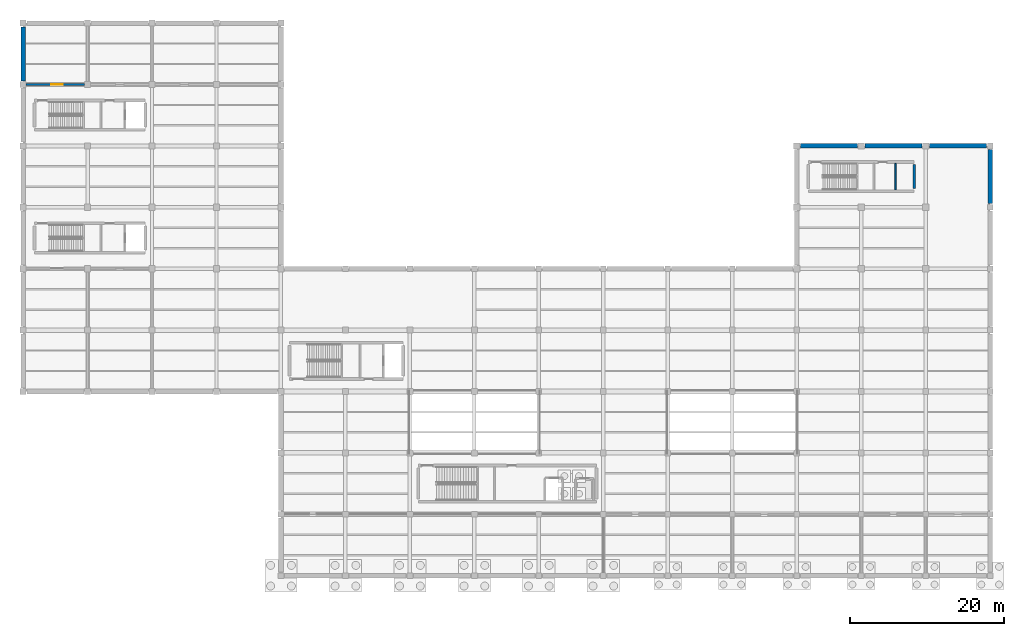
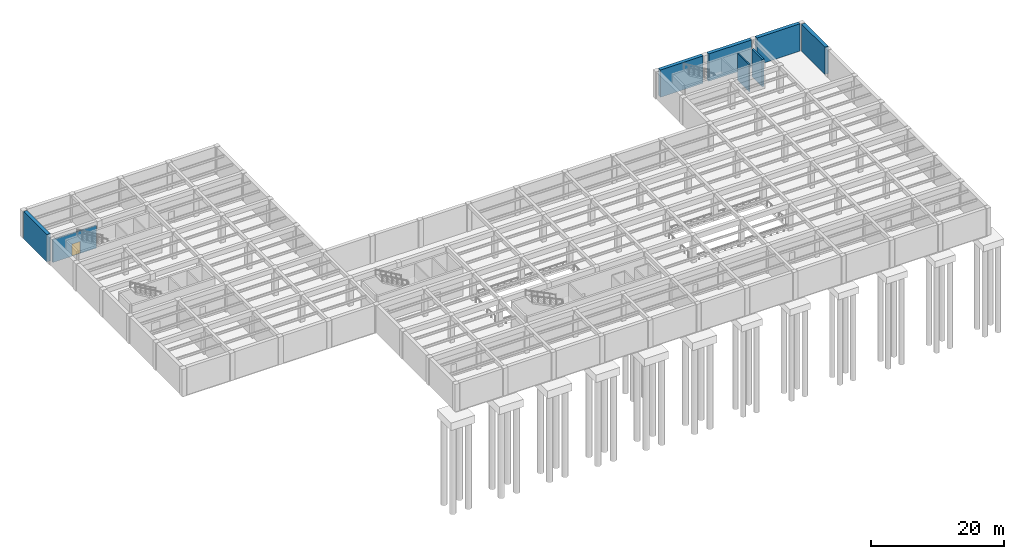
# One storey, part 8 of 16: 8 walls, 1 door, 1 opening.
"""IFC4 building model written with IfcOpenShell, lengths in metres."""

import ifcopenshell
import ifcopenshell.guid

model = None  # the IFC model being written
_history = None  # IfcOwnerHistory: only IFC2X3 demands one
_inside = {}  # id of a spatial element -> (the spatial element, [elements in it])
_under = {}  # id of a project, library or spatial element -> (it, [spatial elements below it])
_declared = {}  # id of a project -> (the project, [libraries it declares])
_typed = {}  # id of a type object -> (the type object, [elements of that type])
_made_of = {}  # id of a material, layer set ... -> (it, [elements and type objects made of it])


def new_model(schema):
    """Start an empty IFC model of exactly this schema.

    Asked for "IFC4X3", IfcOpenShell would pick the latest addendum, in which some entities
    have other attributes; the version numbers below select the first issue.
    IFC2X3 requires an IfcOwnerHistory on every rooted entity: one is made here for all.
    """
    global model, _history
    if schema == "IFC4X3":
        model = ifcopenshell.file(schema_version=(4, 3, 0, 0))
    else:
        model = ifcopenshell.file(schema=schema)
    _inside.clear()
    _under.clear()
    _declared.clear()
    _typed.clear()
    _made_of.clear()
    _history = None
    if model.schema == "IFC2X3":
        org = make("IfcOrganization", Name="unknown")
        user = make(
            "IfcPersonAndOrganization",
            ThePerson=make("IfcPerson", FamilyName="unknown"),
            TheOrganization=org,
        )
        app = make(
            "IfcApplication",
            ApplicationDeveloper=org,
            Version="unknown",
            ApplicationFullName="unknown",
            ApplicationIdentifier="unknown",
        )
        _history = make(
            "IfcOwnerHistory",
            OwningUser=user,
            OwningApplication=app,
            ChangeAction="ADDED",
            CreationDate=0,
        )
    return model


def make(cls, **values):
    """One entity of the class cls with the attributes given. An attribute that is None is left unset."""
    return model.create_entity(
        cls, **{name: value for name, value in values.items() if value is not None}
    )


def rooted(cls, **values):
    """An entity with a GlobalId (a new one), such as an element, a storey or a relation."""
    return make(cls, GlobalId=ifcopenshell.guid.new(), OwnerHistory=_history, **values)


def si_unit(unit_type, name, prefix=None):
    """IfcSIUnit, for example si_unit("LENGTHUNIT", "METRE", prefix="MILLI")."""
    return make("IfcSIUnit", UnitType=unit_type, Prefix=prefix, Name=name)


def assignment(units):
    """IfcUnitAssignment: the units of a project."""
    return None if units is None else make("IfcUnitAssignment", Units=units)


def point(xyz):
    """IfcCartesianPoint."""
    return None if xyz is None else make("IfcCartesianPoint", Coordinates=xyz)


def direction(xyz):
    """IfcDirection."""
    return None if xyz is None else make("IfcDirection", DirectionRatios=xyz)


def frame(location, z_axis=None, x_axis=None):
    """IfcAxis2Placement3D, a coordinate frame: its origin and axes. An axis left out is left unset."""
    return make(
        "IfcAxis2Placement3D",
        Location=point(location),
        Axis=direction(z_axis),
        RefDirection=direction(x_axis),
    )


def frame_2d(location, x_axis=None):
    """IfcAxis2Placement2D, a coordinate frame in the plane: its origin and x axis."""
    return make(
        "IfcAxis2Placement2D", Location=point(location), RefDirection=direction(x_axis)
    )


def origin():
    """The frame at (0, 0, 0) with its axes left unset."""
    return frame((0.0, 0.0, 0.0))


def place(relative_to, where):
    """IfcLocalPlacement: puts the frame where relative to a parent placement (None: the world)."""
    return make(
        "IfcLocalPlacement", PlacementRelTo=relative_to, RelativePlacement=where
    )


def context(
    kind, dimensions, precision=None, world=None, true_north=None, identifier=None
):
    """IfcGeometricRepresentationContext, for example the 3D "Model" context."""
    return make(
        "IfcGeometricRepresentationContext",
        ContextIdentifier=identifier,
        ContextType=kind,
        CoordinateSpaceDimension=dimensions,
        Precision=precision,
        WorldCoordinateSystem=world,
        TrueNorth=true_north,
    )


def subcontext(parent, identifier, kind, view, scale=None):
    """IfcGeometricRepresentationSubContext, for example "Body" below "Model"."""
    return make(
        "IfcGeometricRepresentationSubContext",
        ContextIdentifier=identifier,
        ContextType=kind,
        ParentContext=parent,
        TargetScale=scale,
        TargetView=view,
    )


def project(units=None, contexts=None):
    """IfcProject with its units and contexts."""
    return rooted(
        "IfcProject",
        Name="project",
        RepresentationContexts=contexts,
        UnitsInContext=assignment(units),
    )


def spatial(cls, under=None, at=None, **own):
    """A site, building, storey or space (cls), placed at a placement, below another one or the project."""
    s = rooted(cls, ObjectPlacement=at, **own)
    if under is not None:
        _under.setdefault(under.id(), (under, []))[1].append(s)
    return s


def profile(cls, at=None, kind="AREA", **sizes):
    """A parametric profile (cls). Its sizes go by their IFC names, for example OverallWidth=200.0."""
    return make(cls, ProfileType=kind, Position=at, **sizes)


def rectangle(**sizes):
    """IfcRectangleProfileDef."""
    return profile("IfcRectangleProfileDef", **sizes)


def extrude(swept, where, along, depth):
    """IfcExtrudedAreaSolid: the profile swept, set in the frame where, extruded along a direction by depth."""
    return make(
        "IfcExtrudedAreaSolid",
        SweptArea=swept,
        Position=where,
        ExtrudedDirection=direction(along),
        Depth=depth,
    )


def shape(context_of_items, identifier, shape_type, items):
    """IfcShapeRepresentation: the items that make up one representation, for example the "Body"."""
    return make(
        "IfcShapeRepresentation",
        ContextOfItems=context_of_items,
        RepresentationIdentifier=identifier,
        RepresentationType=shape_type,
        Items=items,
    )


def material(Name=None, Category=None):
    """IfcMaterial."""
    return make("IfcMaterial", Name=Name, Category=Category)


def layer(
    of_material, thickness, ventilated=None, Name=None, Category=None, Priority=None
):
    """IfcMaterialLayer: one layer of a wall or slab, of a material (None: an air gap)."""
    return make(
        "IfcMaterialLayer",
        Material=of_material,
        LayerThickness=thickness,
        IsVentilated=ventilated,
        Name=Name,
        Category=Category,
        Priority=Priority,
    )


def layer_set(layers, Name=None):
    """IfcMaterialLayerSet."""
    return make("IfcMaterialLayerSet", MaterialLayers=layers, LayerSetName=Name)


def made_of(thing, what):
    """Note that an element or type object is made of a material, layer set ...; save() writes the relation."""
    if what is not None:
        _made_of.setdefault(what.id(), (what, []))[1].append(thing)
    return thing


def type_object(cls, material=None, **own):
    """A type object (cls), such as IfcWallType, which elements share."""
    return made_of(rooted(cls, **own), material)


def element(
    cls,
    number,
    at=None,
    inside=None,
    cuts=None,
    type_object=None,
    material=None,
    context=None,
    identifier="Body",
    shape_type=None,
    held_by="IfcProductDefinitionShape",
    body=None,
    shapes=None,
    **own,
):
    """One element of the class cls, such as IfcWall. Its Tag is "e" and its number.

    at: its placement. inside: the storey or other place that contains it. cuts: it is an
    opening in that element (IfcRelVoidsElement). A single representation is given by context,
    identifier, shape_type and body (its items); several are given by shapes. held_by: the class
    of the entity that holds the representations. save() writes the other relations.
    """
    e = rooted(cls, Tag="e%d" % number, ObjectPlacement=at, **own)
    if body is not None:
        shapes = [shape(context, identifier, shape_type, body)]
    if shapes is not None:
        e.Representation = make(held_by, Representations=shapes)
    if inside is not None:
        _inside.setdefault(inside.id(), (inside, []))[1].append(e)
    if cuts is not None:
        rooted(
            "IfcRelVoidsElement", RelatingBuildingElement=cuts, RelatedOpeningElement=e
        )
    if type_object is not None:
        _typed.setdefault(type_object.id(), (type_object, []))[1].append(e)
    return made_of(e, material)


def fill(opening, filler):
    """IfcRelFillsElement: the door or window that sits in an opening."""
    return rooted(
        "IfcRelFillsElement",
        RelatingOpeningElement=opening,
        RelatedBuildingElement=filler,
    )


def aggregate(whole, parts):
    """IfcRelAggregates: a whole, such as a stair, and the parts it consists of."""
    return rooted("IfcRelAggregates", RelatingObject=whole, RelatedObjects=parts)


def save(model, path):
    """Write the relations noted so far, then the file.

    IfcRelAggregates (storeys below a building ...), IfcRelContainedInSpatialStructure (elements
    in a storey), IfcRelDefinesByType, IfcRelAssociatesMaterial and IfcRelDeclares: one each for
    every whole, place, type object, material and project.
    """
    for whole, parts in _under.values():
        aggregate(whole, parts)
    for where, things in _inside.values():
        rooted(
            "IfcRelContainedInSpatialStructure",
            RelatedElements=things,
            RelatingStructure=where,
        )
    for kind, things in _typed.values():
        rooted("IfcRelDefinesByType", RelatedObjects=things, RelatingType=kind)
    for what, things in _made_of.values():
        rooted("IfcRelAssociatesMaterial", RelatedObjects=things, RelatingMaterial=what)
    for by, libraries in _declared.values():
        rooted("IfcRelDeclares", RelatingContext=by, RelatedDefinitions=libraries)
    model.write(path)


model = new_model("IFC4")

# Units and contexts
model_context = context("Model", 3, precision=1e-05, world=origin(), true_north=direction((0.0, 1.0)))
body_context = subcontext(model_context, "Body", "Model", "MODEL_VIEW")
ifc_project = project(units=[si_unit("LENGTHUNIT", "METRE"), si_unit("AREAUNIT", "SQUARE_METRE"), si_unit("VOLUMEUNIT", "CUBIC_METRE"), si_unit("PLANEANGLEUNIT", "RADIAN"), si_unit("MASSUNIT", "GRAM", prefix="KILO")], contexts=[model_context])

# Site, building, storey
site_placement = place(None, origin())
site = spatial("IfcSite", under=ifc_project, at=site_placement, CompositionType="ELEMENT")
building_placement = place(site_placement, origin())
building = spatial("IfcBuilding", under=site, at=building_placement, Name="Kranzveld Transit Interchange", CompositionType="ELEMENT")
storey_placement = place(building_placement, frame((0.0, 0.0, -5.43994140625)))
storey = spatial("IfcBuildingStorey", under=building, at=storey_placement, Name="B1", CompositionType="ELEMENT", Elevation=-5.43994140625)

# Wall
ifc_material_1 = material(Name="Concrete C40/50", Category="concrete")
ifc_layer_1 = layer(ifc_material_1, 0.35009765625)
ifc_layer_set_1 = layer_set([ifc_layer_1], Name="Concrete C40/50")
wall_type_1 = type_object("IfcWallType", Name="Core Shear Wall RC 350 C40/50", PredefinedType="SHEAR", material=ifc_layer_set_1)
wall_1_placement = place(storey_placement, frame((116.10009765625, 74.43994140625, 0.0), z_axis=(0.0, 0.0, 1.0), x_axis=(0.0, 1.0, 0.0)))
element("IfcWall", 1, at=wall_1_placement, inside=storey, type_object=wall_type_1, Name="B1 Community Core C3 Shear Wall E", PredefinedType="SHEAR", context=body_context, shape_type="SweptSolid", body=[
    extrude(rectangle(XDim=3.1201171875, YDim=0.35009765625, at=frame_2d((1.56005859375, 0.0))), origin(), (0.0, 0.0, 1.0), 5.02001953125),
])

# Wall, opening, door
ifc_material_2 = material(Name="Clay masonry unit wall, 20 MPa", Category="masonry")
ifc_layer_2 = layer(ifc_material_2, 0.22998046875)
ifc_layer_set_2 = layer_set([ifc_layer_2], Name="Clay masonry unit wall, 20 MPa")
wall_type_2 = type_object("IfcWallType", Name="Fire Compartment Wall Masonry 230 EI120", PredefinedType="PARTITIONING", material=ifc_layer_set_2)
wall_2_placement = place(storey_placement, frame((0.389892578125, 88.0, 0.0), z_axis=(0.0, 0.0, 1.0), x_axis=(1.0, 0.0, 0.0)))
wall_2 = element("IfcWall", 2, at=wall_2_placement, inside=storey, type_object=wall_type_2, Name="B1 Partition IW-B1-B1W2-FRT-B113-0", PredefinedType="PARTITIONING", context=body_context, shape_type="SweptSolid", body=[
    extrude(rectangle(XDim=7.6201171875, YDim=0.22998046875, at=frame_2d((3.81005859375, 0.0))), origin(), (0.0, 0.0, 1.0), 4.169921875),
])
opening_placement = place(wall_2_placement, frame((3.31005859375, 0.0, 0.0), z_axis=(0.0, 0.0, 1.0), x_axis=(1.0, 0.0, 0.0)))
opening = element("IfcOpeningElement", 3, at=opening_placement, cuts=wall_2, Name="Opening D-B113", PredefinedType="OPENING", context=body_context, shape_type="SweptSolid", body=[
    extrude(rectangle(XDim=1.5, YDim=2.199951171875, at=frame_2d((0.75, 1.10009765625))), frame((0.0, 0.125, 0.0), z_axis=(0.0, -1.0, 0.0), x_axis=(1.0, 0.0, 0.0)), (0.0, 0.0, 1.0), 0.25),
])
ifc_material_3 = material(Name="Steel S355JR", Category="steel")
door_type = type_object("IfcDoorType", Name="Substation Double Fire Door 1500x2200 FD120S", OperationType="NOTDEFINED", PredefinedType="DOOR", material=ifc_material_3)
door_placement = place(opening_placement, origin())
door = element("IfcDoor", 4, at=door_placement, inside=storey, type_object=door_type, Name="B1 Interior Door D-B113", OperationType="SINGLE_SWING_LEFT", OverallHeight=2.199951171875, OverallWidth=1.5, PredefinedType="DOOR", context=body_context, shape_type="SweptSolid", body=[
    extrude(rectangle(XDim=1.5, YDim=2.199951171875, at=frame_2d((0.75, 1.10009765625))), frame((0.0, 0.02490234375, 0.0), z_axis=(0.0, -1.0, 0.0), x_axis=(1.0, 0.0, 0.0)), (0.0, 0.0, 1.0), 0.050048828125),
])
fill(opening, door)

# Walls
ifc_material_4 = material(Name="Concrete C40/50", Category="concrete")
ifc_layer_3 = layer(ifc_material_4, 0.199951171875)
ifc_layer_set_3 = layer_set([ifc_layer_3], Name="Concrete C40/50")
wall_type_3 = type_object("IfcWallType", Name="Lift Shaft Enclosure Wall RC 200 EI120", PredefinedType="SHEAR", material=ifc_layer_set_3)
wall_3_placement = place(storey_placement, frame((113.64990234375, 74.264892578125, 0.0), z_axis=(0.0, 0.0, 1.0), x_axis=(0.0, 1.0, 0.0)))
element("IfcWall", 5, at=wall_3_placement, inside=storey, type_object=wall_type_3, Name="B1 LF-V4A Shaft Front Wall", PredefinedType="SHEAR", context=body_context, shape_type="SweptSolid", body=[
    extrude(rectangle(XDim=3.47021484375, YDim=0.199951171875, at=frame_2d((1.735107421875, 0.0))), origin(), (0.0, 0.0, 1.0), 5.02001953125),
])
ifc_material_5 = material(Name="Concrete C40/50", Category="concrete")
ifc_layer_4 = layer(ifc_material_5, 0.60009765625)
ifc_layer_set_4 = layer_set([ifc_layer_4], Name="Concrete C40/50")
wall_type_4 = type_object("IfcWallType", Name="Retaining Wall RC 600 C40/50", PredefinedType="SOLIDWALL", material=ifc_layer_set_4)
wall_4_placement = place(storey_placement, frame((0.0, 88.47998046875, 0.0), z_axis=(0.0, 0.0, 1.0), x_axis=(0.0, 1.0, 0.0)))
element("IfcWall", 6, at=wall_4_placement, inside=storey, type_object=wall_type_4, Name="B1 Perimeter Retaining Wall 24", PredefinedType="SOLIDWALL", context=body_context, shape_type="SweptSolid", body=[
    extrude(rectangle(XDim=7.0400390625, YDim=0.60009765625, at=frame_2d((3.52001953125, 0.0))), origin(), (0.0, 0.0, 1.0), 5.02001953125),
])
wall_5_placement = place(storey_placement, frame((101.280029296875, 80.0, 0.0), z_axis=(0.0, 0.0, 1.0), x_axis=(1.0, 0.0, 0.0)))
element("IfcWall", 7, at=wall_5_placement, inside=storey, type_object=wall_type_4, Name="B1 Perimeter Retaining Wall 43", PredefinedType="SOLIDWALL", context=body_context, shape_type="SweptSolid", body=[
    extrude(rectangle(XDim=7.43994140625, YDim=0.60009765625, at=frame_2d((3.719970703125, 0.0))), origin(), (0.0, 0.0, 1.0), 5.02001953125),
])
wall_6_placement = place(storey_placement, frame((109.679931640625, 80.0, 0.0), z_axis=(0.0, 0.0, 1.0), x_axis=(1.0, 0.0, 0.0)))
element("IfcWall", 8, at=wall_6_placement, inside=storey, type_object=wall_type_4, Name="B1 Perimeter Retaining Wall 44", PredefinedType="SOLIDWALL", context=body_context, shape_type="SweptSolid", body=[
    extrude(rectangle(XDim=7.440185546875, YDim=0.60009765625, at=frame_2d((3.72021484375, 0.0))), origin(), (0.0, 0.0, 1.0), 5.02001953125),
])
wall_7_placement = place(storey_placement, frame((118.080078125, 80.0, 0.0), z_axis=(0.0, 0.0, 1.0), x_axis=(1.0, 0.0, 0.0)))
element("IfcWall", 9, at=wall_7_placement, inside=storey, type_object=wall_type_4, Name="B1 Perimeter Retaining Wall 45", PredefinedType="SOLIDWALL", context=body_context, shape_type="SweptSolid", body=[
    extrude(rectangle(XDim=7.43994140625, YDim=0.60009765625, at=frame_2d((3.719970703125, 0.0))), origin(), (0.0, 0.0, 1.0), 5.02001953125),
])
wall_8_placement = place(storey_placement, frame((126.0, 72.47998046875, 0.0), z_axis=(0.0, 0.0, 1.0), x_axis=(0.0, 1.0, 0.0)))
element("IfcWall", 10, at=wall_8_placement, inside=storey, type_object=wall_type_4, Name="B1 Perimeter Retaining Wall 47", PredefinedType="SOLIDWALL", context=body_context, shape_type="SweptSolid", body=[
    extrude(rectangle(XDim=7.0400390625, YDim=0.60009765625, at=frame_2d((3.52001953125, 0.0))), origin(), (0.0, 0.0, 1.0), 5.02001953125),
])

save(model, "model.ifc")
